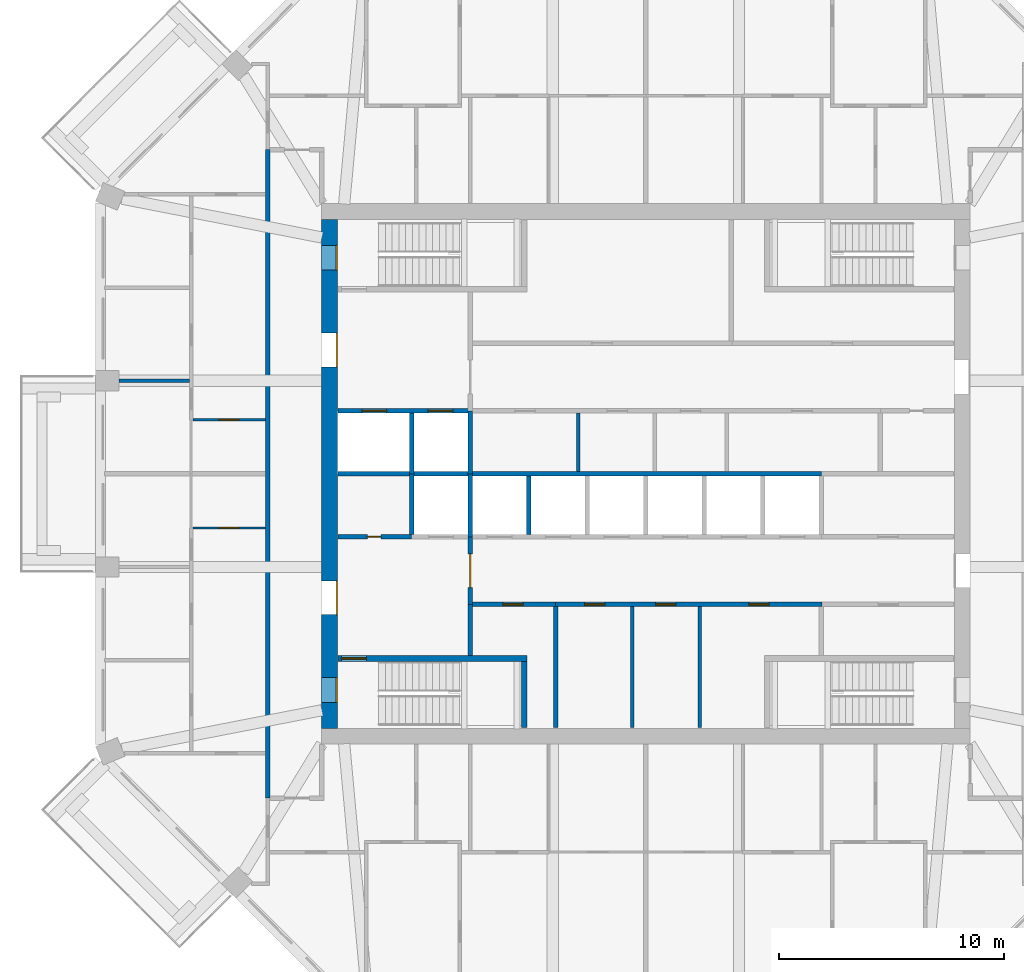
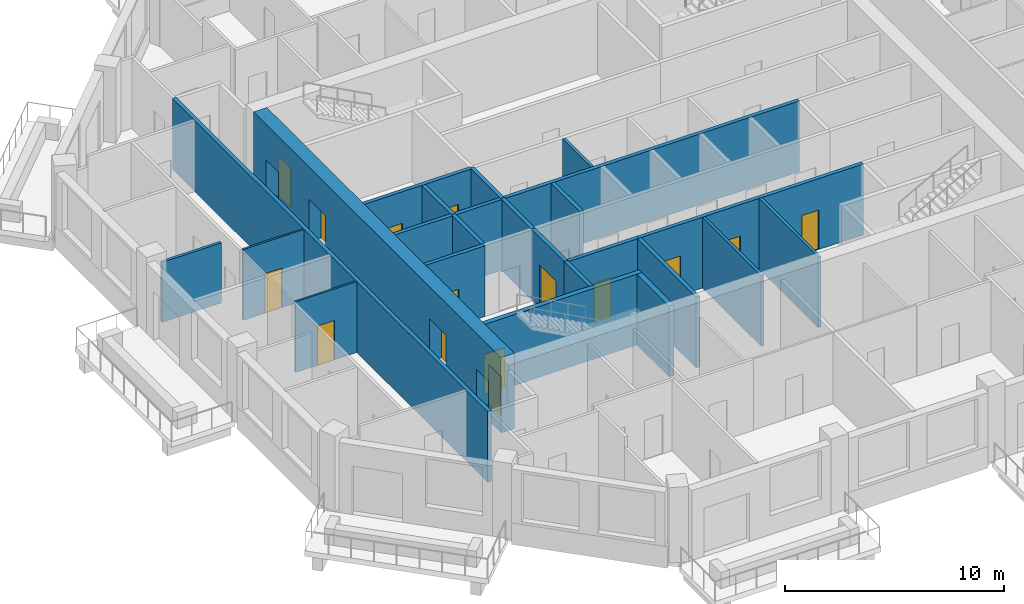
# One storey, part 4 of 12: 23 walls, 15 doors, 15 openings.
"""IFC4 building model written with IfcOpenShell, lengths in metres."""

from ifc_helpers import new_model, si_unit, direction, frame, frame_2d, origin, place, context, subcontext, project, spatial, rectangle, extrude, material, layer, layer_set, type_object, element, fill, save


model = new_model("IFC4")

# Units and contexts
model_context = context("Model", 3, precision=1e-05, world=origin(), true_north=direction((0.0, 1.0)))
body_context = subcontext(model_context, "Body", "Model", "MODEL_VIEW")
ifc_project = project(units=[si_unit("LENGTHUNIT", "METRE"), si_unit("AREAUNIT", "SQUARE_METRE"), si_unit("VOLUMEUNIT", "CUBIC_METRE"), si_unit("PLANEANGLEUNIT", "RADIAN"), si_unit("MASSUNIT", "GRAM", prefix="KILO")], contexts=[model_context])

# Site, building, storey
site_placement = place(None, origin())
site = spatial("IfcSite", under=ifc_project, at=site_placement, CompositionType="ELEMENT")
building_placement = place(site_placement, origin())
building = spatial("IfcBuilding", under=site, at=building_placement, Name="Msitu Wima Residences", CompositionType="ELEMENT")
storey_placement = place(building_placement, frame((0.0, 0.0, 183.300048828125)))
storey = spatial("IfcBuildingStorey", under=building, at=storey_placement, Name="L42", CompositionType="ELEMENT", Elevation=183.300048828125)

# Wall, openings, doors
ifc_material_1 = material(Name="Concrete C60/75", Category="concrete")
ifc_layer_1 = layer(ifc_material_1, 0.699951171875)
ifc_layer_set_1 = layer_set([ifc_layer_1], Name="Concrete C60/75")
wall_type_1 = type_object("IfcWallType", Name="Core wall CW700 C60/75", PredefinedType="SHEAR", material=ifc_layer_set_1)
wall_1_placement = place(storey_placement, frame((-14.050048828125, -11.300048828125, 0.0), z_axis=(0.0, 0.0, 1.0), x_axis=(0.0, 1.0, 0.0)))
wall_1 = element("IfcWall", 1, at=wall_1_placement, inside=storey, type_object=wall_type_1, Name="Core wall", PredefinedType="SHEAR", context=body_context, shape_type="SweptSolid", body=[
    extrude(rectangle(XDim=22.60009765625, YDim=0.699951171875, at=frame_2d((11.300048828125, 0.0))), origin(), (0.0, 0.0, 1.0), 4.199951171875),
])
opening_1_placement = place(wall_1_placement, frame((20.35009765625, 0.0, 0.0)))
opening_1 = element("IfcOpeningElement", 2, at=opening_1_placement, cuts=wall_1, Name="Opening D40-42.087", PredefinedType="OPENING", context=body_context, shape_type="SweptSolid", body=[
    extrude(rectangle(XDim=1.10009765625, YDim=2.199951171875, at=frame_2d((0.550048828125, 1.10009765625))), frame((0.0, 0.35986328125, 0.0), z_axis=(0.0, -1.0, 0.0), x_axis=(1.0, 0.0, 0.0)), (0.0, 0.0, 1.0), 0.719970703125),
])
opening_2_placement = place(wall_1_placement, frame((1.14990234375, 0.0, 0.0)))
opening_2 = element("IfcOpeningElement", 3, at=opening_2_placement, cuts=wall_1, Name="Opening D40-42.089", PredefinedType="OPENING", context=body_context, shape_type="SweptSolid", body=[
    extrude(rectangle(XDim=1.10009765625, YDim=2.199951171875, at=frame_2d((0.550048828125, 1.10009765625))), frame((0.0, 0.35986328125, 0.0), z_axis=(0.0, -1.0, 0.0), x_axis=(1.0, 0.0, 0.0)), (0.0, 0.0, 1.0), 0.719970703125),
])
opening_3_placement = place(wall_1_placement, frame((16.050048828125, 0.0, 0.0)))
opening_3 = element("IfcOpeningElement", 4, at=opening_3_placement, cuts=wall_1, Name="Opening D40-42.068", PredefinedType="OPENING", context=body_context, shape_type="SweptSolid", body=[
    extrude(rectangle(XDim=1.5, YDim=2.39990234375, at=frame_2d((0.75, 1.199951171875))), frame((0.0, 0.35986328125, 0.0), z_axis=(0.0, -1.0, 0.0), x_axis=(1.0, 0.0, 0.0)), (0.0, 0.0, 1.0), 0.719970703125),
])
opening_4_placement = place(wall_1_placement, frame((5.050048828125, 0.0, 0.0)))
opening_4 = element("IfcOpeningElement", 5, at=opening_4_placement, cuts=wall_1, Name="Opening D40-42.070", PredefinedType="OPENING", context=body_context, shape_type="SweptSolid", body=[
    extrude(rectangle(XDim=1.5, YDim=2.39990234375, at=frame_2d((0.75, 1.199951171875))), frame((0.0, 0.35986328125, 0.0), z_axis=(0.0, -1.0, 0.0), x_axis=(1.0, 0.0, 0.0)), (0.0, 0.0, 1.0), 0.719970703125),
])
ifc_material_2 = material(Name="Steel framed glazed door, fire resisting", Category="steel")
door_type_1 = type_object("IfcDoorType", Name="Lobby door D07 1500x2400", OperationType="DOUBLE_DOOR_SINGLE_SWING", PredefinedType="DOOR", material=ifc_material_2)
door_1_placement = place(opening_3_placement, origin())
door_1 = element("IfcDoor", 6, at=door_1_placement, inside=storey, type_object=door_type_1, Name="Lobby door", OperationType="DOUBLE_DOOR_SINGLE_SWING", OverallHeight=2.39990234375, OverallWidth=1.5, PredefinedType="DOOR", context=body_context, shape_type="SweptSolid", body=[
    extrude(rectangle(XDim=1.5, YDim=2.39990234375, at=frame_2d((0.75, 1.199951171875))), frame((0.0, -0.294921875, 0.0), z_axis=(0.0, -1.0, 0.0), x_axis=(1.0, 0.0, 0.0)), (0.0, 0.0, 1.0), 0.050048828125),
])
fill(opening_3, door_1)
door_2_placement = place(opening_4_placement, origin())
door_2 = element("IfcDoor", 7, at=door_2_placement, inside=storey, type_object=door_type_1, Name="Lobby door", OperationType="DOUBLE_DOOR_SINGLE_SWING", OverallHeight=2.39990234375, OverallWidth=1.5, PredefinedType="DOOR", context=body_context, shape_type="SweptSolid", body=[
    extrude(rectangle(XDim=1.5, YDim=2.39990234375, at=frame_2d((0.75, 1.199951171875))), frame((0.0, -0.294921875, 0.0), z_axis=(0.0, -1.0, 0.0), x_axis=(1.0, 0.0, 0.0)), (0.0, 0.0, 1.0), 0.050048828125),
])
fill(opening_4, door_2)
ifc_material_3 = material(Name="Steel door, fire resisting, panic bar", Category="steel")
door_type_2 = type_object("IfcDoorType", Name="Stair door D06 1100x2200", OperationType="SINGLE_SWING_LEFT", PredefinedType="DOOR", material=ifc_material_3)
door_3_placement = place(opening_1_placement, origin())
door_3 = element("IfcDoor", 8, at=door_3_placement, inside=storey, type_object=door_type_2, Name="Stair door", OperationType="SINGLE_SWING_RIGHT", OverallHeight=2.199951171875, OverallWidth=1.10009765625, PredefinedType="DOOR", context=body_context, shape_type="SweptSolid", body=[
    extrude(rectangle(XDim=1.10009765625, YDim=2.199951171875, at=frame_2d((0.550048828125, 1.10009765625))), frame((0.0, -0.294921875, 0.0), z_axis=(0.0, -1.0, 0.0), x_axis=(1.0, 0.0, 0.0)), (0.0, 0.0, 1.0), 0.050048828125),
])
fill(opening_1, door_3)
door_4_placement = place(opening_2_placement, origin())
door_4 = element("IfcDoor", 9, at=door_4_placement, inside=storey, type_object=door_type_2, Name="Stair door", OperationType="SINGLE_SWING_LEFT", OverallHeight=2.199951171875, OverallWidth=1.10009765625, PredefinedType="DOOR", context=body_context, shape_type="SweptSolid", body=[
    extrude(rectangle(XDim=1.10009765625, YDim=2.199951171875, at=frame_2d((0.550048828125, 1.10009765625))), frame((0.0, -0.294921875, 0.0), z_axis=(0.0, -1.0, 0.0), x_axis=(1.0, 0.0, 0.0)), (0.0, 0.0, 1.0), 0.050048828125),
])
fill(opening_2, door_4)

# Wall
ifc_material_4 = material(Name="Plaster")
ifc_layer_2 = layer(ifc_material_4, 0.011962890625, Name="Plaster")
ifc_material_5 = material(Name="Concrete blockwork", Category="masonry")
ifc_layer_3 = layer(ifc_material_5, 0.176025390625, Name="Concrete blockwork")
ifc_layer_4 = layer(ifc_material_4, 0.011962890625, Name="Plaster")
ifc_layer_set_2 = layer_set([ifc_layer_2, ifc_layer_3, ifc_layer_4], Name="Concrete blockwork")
wall_type_2 = type_object("IfcWallType", Name="Corridor wall FW200", PredefinedType="PARTITIONING", material=ifc_layer_set_2)
wall_2_placement = place(storey_placement, frame((-16.800048828125, -14.39990234375, 0.0), z_axis=(0.0, 0.0, 1.0), x_axis=(0.0, 1.0, 0.0)))
element("IfcWall", 10, at=wall_2_placement, inside=storey, type_object=wall_type_2, Name="Corridor wall", PredefinedType="PARTITIONING", context=body_context, shape_type="SweptSolid", body=[
    extrude(rectangle(XDim=28.7998046875, YDim=0.199951171875, at=frame_2d((14.39990234375, 0.0))), origin(), (0.0, 0.0, 1.0), 3.949951171875),
])

# Wall, opening, door
wall_3_placement = place(storey_placement, frame((-7.800048828125, -5.800048828125, 0.0), z_axis=(0.0, 0.0, 1.0), x_axis=(0.0, 1.0, 0.0)))
wall_3 = element("IfcWall", 11, at=wall_3_placement, inside=storey, type_object=wall_type_2, Name="Corridor wall", PredefinedType="PARTITIONING", context=body_context, shape_type="SweptSolid", body=[
    extrude(rectangle(XDim=3.0, YDim=0.199951171875, at=frame_2d((1.5, 0.0))), origin(), (0.0, 0.0, 1.0), 3.949951171875),
])
opening_5_placement = place(wall_3_placement, frame((0.75, 0.0, 0.0)))
opening_5 = element("IfcOpeningElement", 12, at=opening_5_placement, cuts=wall_3, Name="Opening D40-42.071", PredefinedType="OPENING", context=body_context, shape_type="SweptSolid", body=[
    extrude(rectangle(XDim=1.5, YDim=2.39990234375, at=frame_2d((0.75, 1.199951171875))), frame((0.0, 0.10986328125, 0.0), z_axis=(0.0, -1.0, 0.0), x_axis=(1.0, 0.0, 0.0)), (0.0, 0.0, 1.0), 0.219970703125),
])
door_5_placement = place(opening_5_placement, origin())
door_5 = element("IfcDoor", 13, at=door_5_placement, inside=storey, type_object=door_type_1, Name="Lobby door", OperationType="DOUBLE_DOOR_SINGLE_SWING", OverallHeight=2.39990234375, OverallWidth=1.5, PredefinedType="DOOR", context=body_context, shape_type="SweptSolid", body=[
    extrude(rectangle(XDim=1.5, YDim=2.39990234375, at=frame_2d((0.75, 1.199951171875))), frame((0.0, 0.02490234375, 0.0), z_axis=(0.0, -1.0, 0.0), x_axis=(1.0, 0.0, 0.0)), (0.0, 0.0, 1.0), 0.050048828125),
])
fill(opening_5, door_5)

# Wall, openings, doors
wall_4_placement = place(storey_placement, frame((-4.02001953125, -5.800048828125, 0.0), z_axis=(0.0, 0.0, 1.0), x_axis=(1.0, 0.0, 0.0)))
wall_4 = element("IfcWall", 14, at=wall_4_placement, inside=storey, type_object=wall_type_2, Name="Corridor wall", PredefinedType="PARTITIONING", context=body_context, shape_type="SweptSolid", body=[
    extrude(rectangle(XDim=11.840087890625, YDim=0.199951171875, at=frame_2d((5.919921875, 0.0))), origin(), (0.0, 0.0, 1.0), 3.949951171875),
])
opening_6_placement = place(wall_4_placement, frame((1.300048828125, 0.0, 0.0)))
opening_6 = element("IfcOpeningElement", 15, at=opening_6_placement, cuts=wall_4, Name="Opening D40-42.075", PredefinedType="OPENING", context=body_context, shape_type="SweptSolid", body=[
    extrude(rectangle(XDim=0.89990234375, YDim=2.199951171875, at=frame_2d((0.449951171875, 1.10009765625))), frame((0.0, 0.10986328125, 0.0), z_axis=(0.0, -1.0, 0.0), x_axis=(1.0, 0.0, 0.0)), (0.0, 0.0, 1.0), 0.219970703125),
])
opening_7_placement = place(wall_4_placement, frame((4.449951171875, 0.0, 0.0)))
opening_7 = element("IfcOpeningElement", 16, at=opening_7_placement, cuts=wall_4, Name="Opening D40-42.076", PredefinedType="OPENING", context=body_context, shape_type="SweptSolid", body=[
    extrude(rectangle(XDim=0.89990234375, YDim=2.199951171875, at=frame_2d((0.449951171875, 1.10009765625))), frame((0.0, 0.10986328125, 0.0), z_axis=(0.0, -1.0, 0.0), x_axis=(1.0, 0.0, 0.0)), (0.0, 0.0, 1.0), 0.219970703125),
])
opening_8_placement = place(wall_4_placement, frame((8.60009765625, 0.0, 0.0)))
opening_8 = element("IfcOpeningElement", 17, at=opening_8_placement, cuts=wall_4, Name="Opening D40-42.077", PredefinedType="OPENING", context=body_context, shape_type="SweptSolid", body=[
    extrude(rectangle(XDim=0.89990234375, YDim=2.199951171875, at=frame_2d((0.449951171875, 1.10009765625))), frame((0.0, 0.10986328125, 0.0), z_axis=(0.0, -1.0, 0.0), x_axis=(1.0, 0.0, 0.0)), (0.0, 0.0, 1.0), 0.219970703125),
])
ifc_material_6 = material(Name="Timber flush door", Category="wood")
door_type_3 = type_object("IfcDoorType", Name="Service door D05 900x2200", OperationType="SINGLE_SWING_LEFT", PredefinedType="DOOR", material=ifc_material_6)
door_6_placement = place(opening_6_placement, origin())
door_6 = element("IfcDoor", 18, at=door_6_placement, inside=storey, type_object=door_type_3, Name="Service door", OperationType="SINGLE_SWING_LEFT", OverallHeight=2.199951171875, OverallWidth=0.89990234375, PredefinedType="DOOR", context=body_context, shape_type="SweptSolid", body=[
    extrude(rectangle(XDim=0.89990234375, YDim=2.199951171875, at=frame_2d((0.449951171875, 1.10009765625))), frame((0.0, 0.02490234375, 0.0), z_axis=(0.0, -1.0, 0.0), x_axis=(1.0, 0.0, 0.0)), (0.0, 0.0, 1.0), 0.050048828125),
])
fill(opening_6, door_6)
door_7_placement = place(opening_7_placement, origin())
door_7 = element("IfcDoor", 19, at=door_7_placement, inside=storey, type_object=door_type_3, Name="Service door", OperationType="SINGLE_SWING_RIGHT", OverallHeight=2.199951171875, OverallWidth=0.89990234375, PredefinedType="DOOR", context=body_context, shape_type="SweptSolid", body=[
    extrude(rectangle(XDim=0.89990234375, YDim=2.199951171875, at=frame_2d((0.449951171875, 1.10009765625))), frame((0.0, 0.02490234375, 0.0), z_axis=(0.0, -1.0, 0.0), x_axis=(1.0, 0.0, 0.0)), (0.0, 0.0, 1.0), 0.050048828125),
])
fill(opening_7, door_7)
door_8_placement = place(opening_8_placement, origin())
door_8 = element("IfcDoor", 20, at=door_8_placement, inside=storey, type_object=door_type_3, Name="Service door", OperationType="SINGLE_SWING_RIGHT", OverallHeight=2.199951171875, OverallWidth=0.89990234375, PredefinedType="DOOR", context=body_context, shape_type="SweptSolid", body=[
    extrude(rectangle(XDim=0.89990234375, YDim=2.199951171875, at=frame_2d((0.449951171875, 1.10009765625))), frame((0.0, 0.02490234375, 0.0), z_axis=(0.0, -1.0, 0.0), x_axis=(1.0, 0.0, 0.0)), (0.0, 0.0, 1.0), 0.050048828125),
])
fill(opening_8, door_8)

# Walls
ifc_layer_5 = layer(ifc_material_4, 0.011962890625, Name="Plaster")
ifc_layer_6 = layer(ifc_material_5, 0.1259765625, Name="Concrete blockwork")
ifc_layer_7 = layer(ifc_material_4, 0.011962890625, Name="Plaster")
ifc_layer_set_3 = layer_set([ifc_layer_5, ifc_layer_6, ifc_layer_7], Name="Concrete blockwork")
wall_type_3 = type_object("IfcWallType", Name="Partition PW150", PredefinedType="PARTITIONING", material=ifc_layer_set_3)
wall_5_placement = place(storey_placement, frame((-23.39990234375, 4.13720703125, 0.0), z_axis=(0.0, 0.0, 1.0), x_axis=(1.0, 0.0, 0.0)))
element("IfcWall", 21, at=wall_5_placement, inside=storey, type_object=wall_type_3, Name="Partition", PredefinedType="PARTITIONING", context=body_context, shape_type="SweptSolid", body=[
    extrude(rectangle(XDim=3.125, YDim=0.14990234375, at=frame_2d((1.5625, 0.0))), origin(), (0.0, 0.0, 1.0), 3.349853515625),
])
wall_6_placement = place(storey_placement, frame((-3.0, 0.10009765625, 0.0), z_axis=(0.0, 0.0, 1.0), x_axis=(0.0, 1.0, 0.0)))
element("IfcWall", 22, at=wall_6_placement, inside=storey, type_object=wall_type_3, Name="Partition", PredefinedType="PARTITIONING", context=body_context, shape_type="SweptSolid", body=[
    extrude(rectangle(XDim=2.599853515625, YDim=0.14990234375, at=frame_2d((1.2998046875, 0.0))), origin(), (0.0, 0.0, 1.0), 3.949951171875),
])
for number, where, z_axis, x_axis, name in (
    (23, (-0.60009765625, -11.27001953125, 0.0), (0.0, 0.0, 1.0), (0.0, 1.0, 0.0), "Partition"),
    (24, (2.39990234375, -11.27001953125, 0.0), (0.0, 0.0, 1.0), (0.0, 1.0, 0.0), "Partition"),
):
    element("IfcWall", number, at=place(storey_placement, frame(where, z_axis=z_axis, x_axis=x_axis)), inside=storey, type_object=wall_type_3, Name=name, PredefinedType="PARTITIONING", context=body_context, shape_type="SweptSolid", body=[
        extrude(rectangle(XDim=5.3701171875, YDim=0.14990234375, at=frame_2d((2.68505859375, 0.0))), origin(), (0.0, 0.0, 1.0), 3.949951171875),
    ])

# Wall, opening, door
ifc_layer_8 = layer(ifc_material_4, 0.011962890625, Name="Plaster")
ifc_material_7 = material(Name="Reinforced concrete blockwork", Category="masonry")
ifc_layer_9 = layer(ifc_material_7, 0.176025390625, Name="Reinforced concrete blockwork")
ifc_layer_10 = layer(ifc_material_4, 0.011962890625, Name="Plaster")
ifc_layer_set_4 = layer_set([ifc_layer_8, ifc_layer_9, ifc_layer_10], Name="Reinforced concrete blockwork")
wall_type_4 = type_object("IfcWallType", Name="Plant and riser wall PL200", PredefinedType="PARTITIONING", material=ifc_layer_set_4)
wall_7_placement = place(storey_placement, frame((-13.669921875, -2.800048828125, 0.0), z_axis=(0.0, 0.0, 1.0), x_axis=(1.0, 0.0, 0.0)))
wall_7 = element("IfcWall", 25, at=wall_7_placement, inside=storey, type_object=wall_type_4, Name="Plant and riser wall", PredefinedType="PARTITIONING", context=body_context, shape_type="SweptSolid", body=[
    extrude(rectangle(XDim=3.27001953125, YDim=0.199951171875, at=frame_2d((1.635009765625, 0.0))), origin(), (0.0, 0.0, 1.0), 3.949951171875),
])
opening_9_placement = place(wall_7_placement, frame((1.300048828125, 0.0, 0.0)))
opening_9 = element("IfcOpeningElement", 26, at=opening_9_placement, cuts=wall_7, Name="Opening D40-42.086", PredefinedType="OPENING", context=body_context, shape_type="SweptSolid", body=[
    extrude(rectangle(XDim=0.60009765625, YDim=2.0, at=frame_2d((0.300048828125, 1.0))), frame((0.0, 0.10986328125, 0.0), z_axis=(0.0, -1.0, 0.0), x_axis=(1.0, 0.0, 0.0)), (0.0, 0.0, 1.0), 0.219970703125),
])
ifc_material_8 = material(Name="Steel access door, fire resisting", Category="steel")
door_type_4 = type_object("IfcDoorType", Name="Riser access door D08 600x2000", OperationType="SINGLE_SWING_LEFT", PredefinedType="DOOR", material=ifc_material_8)
door_9_placement = place(opening_9_placement, origin())
door_9 = element("IfcDoor", 27, at=door_9_placement, inside=storey, type_object=door_type_4, Name="Riser access door", OperationType="SINGLE_SWING_RIGHT", OverallHeight=2.0, OverallWidth=0.60009765625, PredefinedType="DOOR", context=body_context, shape_type="SweptSolid", body=[
    extrude(rectangle(XDim=0.60009765625, YDim=2.0, at=frame_2d((0.300048828125, 1.0))), frame((0.0, 0.02490234375, 0.0), z_axis=(0.0, -1.0, 0.0), x_axis=(1.0, 0.0, 0.0)), (0.0, 0.0, 1.0), 0.050048828125),
])
fill(opening_9, door_9)

# Wall
wall_8_placement = place(storey_placement, frame((-7.800048828125, -8.074951171875, 0.0), z_axis=(0.0, 0.0, 1.0), x_axis=(0.0, 1.0, 0.0)))
element("IfcWall", 28, at=wall_8_placement, inside=storey, type_object=wall_type_4, Name="Plant and riser wall", PredefinedType="PARTITIONING", context=body_context, shape_type="SweptSolid", body=[
    extrude(rectangle(XDim=2.27490234375, YDim=0.199951171875, at=frame_2d((1.137451171875, 0.0))), origin(), (0.0, 0.0, 1.0), 3.949951171875),
])

# Wall, opening, door
wall_9_placement = place(storey_placement, frame((-7.699951171875, -5.800048828125, 0.0), z_axis=(0.0, 0.0, 1.0), x_axis=(1.0, 0.0, 0.0)))
wall_9 = element("IfcWall", 29, at=wall_9_placement, inside=storey, type_object=wall_type_4, Name="Plant and riser wall", PredefinedType="PARTITIONING", context=body_context, shape_type="SweptSolid", body=[
    extrude(rectangle(XDim=3.679931640625, YDim=0.199951171875, at=frame_2d((1.83984375, 0.0))), origin(), (0.0, 0.0, 1.0), 3.949951171875),
])
opening_10_placement = place(wall_9_placement, frame((1.35009765625, 0.0, 0.0)))
opening_10 = element("IfcOpeningElement", 30, at=opening_10_placement, cuts=wall_9, Name="Opening D40-42.074", PredefinedType="OPENING", context=body_context, shape_type="SweptSolid", body=[
    extrude(rectangle(XDim=0.89990234375, YDim=2.199951171875, at=frame_2d((0.449951171875, 1.10009765625))), frame((0.0, 0.10986328125, 0.0), z_axis=(0.0, -1.0, 0.0), x_axis=(1.0, 0.0, 0.0)), (0.0, 0.0, 1.0), 0.219970703125),
])
door_10_placement = place(opening_10_placement, origin())
door_10 = element("IfcDoor", 31, at=door_10_placement, inside=storey, type_object=door_type_3, Name="Service door", OperationType="SINGLE_SWING_RIGHT", OverallHeight=2.199951171875, OverallWidth=0.89990234375, PredefinedType="DOOR", context=body_context, shape_type="SweptSolid", body=[
    extrude(rectangle(XDim=0.89990234375, YDim=2.199951171875, at=frame_2d((0.449951171875, 1.10009765625))), frame((0.0, 0.02490234375, 0.0), z_axis=(0.0, -1.0, 0.0), x_axis=(1.0, 0.0, 0.0)), (0.0, 0.0, 1.0), 0.050048828125),
])
fill(opening_10, door_10)

# Walls
wall_10_placement = place(storey_placement, frame((-4.0, -11.27001953125, 0.0), z_axis=(0.0, 0.0, 1.0), x_axis=(0.0, 1.0, 0.0)))
element("IfcWall", 32, at=wall_10_placement, inside=storey, type_object=wall_type_4, Name="Plant and riser wall", PredefinedType="PARTITIONING", context=body_context, shape_type="SweptSolid", body=[
    extrude(rectangle(XDim=5.3701171875, YDim=0.199951171875, at=frame_2d((2.68505859375, 0.0))), origin(), (0.0, 0.0, 1.0), 3.949951171875),
])
ifc_material_9 = material(Name="Fire-rated board")
ifc_layer_11 = layer(ifc_material_9, 0.02490234375, Name="Fire-rated board")
ifc_material_10 = material(Name="Light-gauge stud framing with mineral wool")
ifc_layer_12 = layer(ifc_material_10, 0.14990234375, Name="Light-gauge stud framing with mineral wool")
ifc_layer_13 = layer(ifc_material_9, 0.02490234375, Name="Fire-rated board")
ifc_layer_set_5 = layer_set([ifc_layer_11, ifc_layer_12, ifc_layer_13], Name="Light-gauge stud framing with mineral wool")
wall_type_5 = type_object("IfcWallType", Name="Shaft wall SH200", PredefinedType="PARTITIONING", material=ifc_layer_set_5)
wall_11_placement = place(storey_placement, frame((-13.669921875, 0.0, 0.0), z_axis=(0.0, 0.0, 1.0), x_axis=(1.0, 0.0, 0.0)))
element("IfcWall", 33, at=wall_11_placement, inside=storey, type_object=wall_type_5, Name="Shaft wall", PredefinedType="PARTITIONING", context=body_context, shape_type="SweptSolid", body=[
    extrude(rectangle(XDim=21.469970703125, YDim=0.199951171875, at=frame_2d((10.73486328125, 0.0))), origin(), (0.0, 0.0, 1.0), 3.949951171875),
])

# Wall, openings, doors
wall_12_placement = place(storey_placement, frame((-13.669921875, 2.800048828125, 0.0), z_axis=(0.0, 0.0, 1.0), x_axis=(1.0, 0.0, 0.0)))
wall_12 = element("IfcWall", 34, at=wall_12_placement, inside=storey, type_object=wall_type_5, Name="Shaft wall", PredefinedType="PARTITIONING", context=body_context, shape_type="SweptSolid", body=[
    extrude(rectangle(XDim=5.849853515625, YDim=0.199951171875, at=frame_2d((2.9248046875, 0.0))), origin(), (0.0, 0.0, 1.0), 3.949951171875),
])
opening_11_placement = place(wall_12_placement, frame((1.050048828125, 0.0, 0.0)))
opening_11 = element("IfcOpeningElement", 35, at=opening_11_placement, cuts=wall_12, Name="Opening LD", PredefinedType="OPENING", context=body_context, shape_type="SweptSolid", body=[
    extrude(rectangle(XDim=1.10009765625, YDim=2.199951171875, at=frame_2d((0.550048828125, 1.10009765625))), frame((0.0, 0.10986328125, 0.0), z_axis=(0.0, -1.0, 0.0), x_axis=(1.0, 0.0, 0.0)), (0.0, 0.0, 1.0), 0.219970703125),
])
opening_12_placement = place(wall_12_placement, frame((4.0, 0.0, 0.0)))
opening_12 = element("IfcOpeningElement", 36, at=opening_12_placement, cuts=wall_12, Name="Opening LD", PredefinedType="OPENING", context=body_context, shape_type="SweptSolid", body=[
    extrude(rectangle(XDim=1.10009765625, YDim=2.199951171875, at=frame_2d((0.550048828125, 1.10009765625))), frame((0.0, 0.10986328125, 0.0), z_axis=(0.0, -1.0, 0.0), x_axis=(1.0, 0.0, 0.0)), (0.0, 0.0, 1.0), 0.219970703125),
])
ifc_material_11 = material(Name="Stainless steel centre-opening landing door, rated", Category="steel")
door_type_5 = type_object("IfcDoorType", Name="Lift landing door LD 1100x2200", OperationType="DOUBLE_DOOR_SLIDING", PredefinedType="DOOR", material=ifc_material_11)
door_11_placement = place(opening_11_placement, origin())
door_11 = element("IfcDoor", 37, at=door_11_placement, inside=storey, type_object=door_type_5, Name="Lift landing door LD1", OperationType="DOUBLE_DOOR_SLIDING", OverallHeight=2.199951171875, OverallWidth=1.10009765625, PredefinedType="DOOR", context=body_context, shape_type="SweptSolid", body=[
    extrude(rectangle(XDim=1.10009765625, YDim=2.199951171875, at=frame_2d((0.550048828125, 1.10009765625))), frame((0.0, 0.02490234375, 0.0), z_axis=(0.0, -1.0, 0.0), x_axis=(1.0, 0.0, 0.0)), (0.0, 0.0, 1.0), 0.050048828125),
])
fill(opening_11, door_11)
door_12_placement = place(opening_12_placement, origin())
door_12 = element("IfcDoor", 38, at=door_12_placement, inside=storey, type_object=door_type_5, Name="Lift landing door LD2", OperationType="DOUBLE_DOOR_SLIDING", OverallHeight=2.199951171875, OverallWidth=1.10009765625, PredefinedType="DOOR", context=body_context, shape_type="SweptSolid", body=[
    extrude(rectangle(XDim=1.10009765625, YDim=2.199951171875, at=frame_2d((0.550048828125, 1.10009765625))), frame((0.0, 0.02490234375, 0.0), z_axis=(0.0, -1.0, 0.0), x_axis=(1.0, 0.0, 0.0)), (0.0, 0.0, 1.0), 0.050048828125),
])
fill(opening_12, door_12)

# Walls
for number, where, z_axis, x_axis, name in (
    (39, (-10.39990234375, -2.699951171875, 0.0), (0.0, 0.0, 1.0), (0.0, 1.0, 0.0), "Shaft wall"),
    (40, (-10.39990234375, 0.0, 0.0), (0.0, 0.0, 1.0), (0.0, 1.0, 0.0), "Shaft wall"),
):
    element("IfcWall", number, at=place(storey_placement, frame(where, z_axis=z_axis, x_axis=x_axis)), inside=storey, type_object=wall_type_5, Name=name, PredefinedType="PARTITIONING", context=body_context, shape_type="SweptSolid", body=[
        extrude(rectangle(XDim=2.699951171875, YDim=0.199951171875, at=frame_2d((1.35009765625, 0.0))), origin(), (0.0, 0.0, 1.0), 3.949951171875),
    ])
for number, where, z_axis, x_axis, name in (
    (41, (-7.800048828125, -2.800048828125, 0.0), (0.0, 0.0, 1.0), (0.0, 1.0, 0.0), "Shaft wall"),
    (42, (-7.800048828125, 0.0, 0.0), (0.0, 0.0, 1.0), (0.0, 1.0, 0.0), "Shaft wall"),
):
    element("IfcWall", number, at=place(storey_placement, frame(where, z_axis=z_axis, x_axis=x_axis)), inside=storey, type_object=wall_type_5, Name=name, PredefinedType="PARTITIONING", context=body_context, shape_type="SweptSolid", body=[
        extrude(rectangle(XDim=2.800048828125, YDim=0.199951171875, at=frame_2d((1.39990234375, 0.0))), origin(), (0.0, 0.0, 1.0), 3.949951171875),
    ])
wall_13_placement = place(storey_placement, frame((-5.199951171875, -2.699951171875, 0.0), z_axis=(0.0, 0.0, 1.0), x_axis=(0.0, 1.0, 0.0)))
element("IfcWall", 43, at=wall_13_placement, inside=storey, type_object=wall_type_5, Name="Shaft wall", PredefinedType="PARTITIONING", context=body_context, shape_type="SweptSolid", body=[
    extrude(rectangle(XDim=2.599853515625, YDim=0.199951171875, at=frame_2d((1.2998046875, 0.0))), origin(), (0.0, 0.0, 1.0), 3.949951171875),
])

# Wall, opening, door
ifc_material_12 = material(Name="Concrete C50/60", Category="concrete")
ifc_layer_14 = layer(ifc_material_12, 0.25)
ifc_layer_set_6 = layer_set([ifc_layer_14], Name="Concrete C50/60")
wall_type_6 = type_object("IfcWallType", Name="Stair enclosure wall SW250", PredefinedType="SHEAR", material=ifc_layer_set_6)
wall_14_placement = place(storey_placement, frame((-13.669921875, -8.199951171875, 0.0), z_axis=(0.0, 0.0, 1.0), x_axis=(1.0, 0.0, 0.0)))
wall_14 = element("IfcWall", 44, at=wall_14_placement, inside=storey, type_object=wall_type_6, Name="Stair enclosure wall", PredefinedType="SHEAR", context=body_context, shape_type="SweptSolid", body=[
    extrude(rectangle(XDim=8.39501953125, YDim=0.25, at=frame_2d((4.197509765625, 0.0))), origin(), (0.0, 0.0, 1.0), 3.949951171875),
])
opening_13_placement = place(wall_14_placement, frame((0.14990234375, 0.0, 0.0)))
opening_13 = element("IfcOpeningElement", 45, at=opening_13_placement, cuts=wall_14, Name="Opening D40-42.090", PredefinedType="OPENING", context=body_context, shape_type="SweptSolid", body=[
    extrude(rectangle(XDim=1.10009765625, YDim=2.199951171875, at=frame_2d((0.550048828125, 1.10009765625))), frame((0.0, 0.135009765625, 0.0), z_axis=(0.0, -1.0, 0.0), x_axis=(1.0, 0.0, 0.0)), (0.0, 0.0, 1.0), 0.27001953125),
])
door_13_placement = place(opening_13_placement, origin())
door_13 = element("IfcDoor", 46, at=door_13_placement, inside=storey, type_object=door_type_2, Name="Stair door", OperationType="SINGLE_SWING_RIGHT", OverallHeight=2.199951171875, OverallWidth=1.10009765625, PredefinedType="DOOR", context=body_context, shape_type="SweptSolid", body=[
    extrude(rectangle(XDim=1.10009765625, YDim=2.199951171875, at=frame_2d((0.550048828125, 1.10009765625))), frame((0.0, 0.02490234375, 0.0), z_axis=(0.0, -1.0, 0.0), x_axis=(1.0, 0.0, 0.0)), (0.0, 0.0, 1.0), 0.050048828125),
])
fill(opening_13, door_13)

# Wall
wall_15_placement = place(storey_placement, frame((-5.39990234375, -11.27001953125, 0.0), z_axis=(0.0, 0.0, 1.0), x_axis=(0.0, 1.0, 0.0)))
element("IfcWall", 47, at=wall_15_placement, inside=storey, type_object=wall_type_6, Name="Stair enclosure wall", PredefinedType="SHEAR", context=body_context, shape_type="SweptSolid", body=[
    extrude(rectangle(XDim=2.945068359375, YDim=0.25, at=frame_2d((1.47265625, 0.0))), origin(), (0.0, 0.0, 1.0), 3.949951171875),
])

# Wall, opening, door
ifc_material_13 = material(Name="Ceramic tiles")
ifc_layer_15 = layer(ifc_material_13, 0.008056640625, Name="Ceramic tiles")
ifc_material_14 = material(Name="Moisture-resistant board")
ifc_layer_16 = layer(ifc_material_14, 0.012451171875, Name="Moisture-resistant board")
ifc_layer_17 = layer(ifc_material_10, 0.06689453125, Name="Light-gauge stud framing with mineral wool")
ifc_layer_18 = layer(ifc_material_14, 0.012451171875, Name="Moisture-resistant board")
ifc_layer_set_7 = layer_set([ifc_layer_15, ifc_layer_16, ifc_layer_17, ifc_layer_18], Name="Light-gauge stud framing with mineral wool")
wall_type_7 = type_object("IfcWallType", Name="Wet wall PW100", PredefinedType="PARTITIONING", material=ifc_layer_set_7)
wall_16_placement = place(storey_placement, frame((-20.125, -2.39990234375, 0.0), z_axis=(0.0, 0.0, 1.0), x_axis=(1.0, 0.0, 0.0)))
wall_16 = element("IfcWall", 48, at=wall_16_placement, inside=storey, type_object=wall_type_7, Name="Wet wall", PredefinedType="PARTITIONING", context=body_context, shape_type="SweptSolid", body=[
    extrude(rectangle(XDim=3.22509765625, YDim=0.10009765625, at=frame_2d((1.612548828125, 0.0))), origin(), (0.0, 0.0, 1.0), 3.949951171875),
])
opening_14_placement = place(wall_16_placement, frame((1.14990234375, 0.0, 0.0)))
opening_14 = element("IfcOpeningElement", 49, at=opening_14_placement, cuts=wall_16, Name="Opening D40-42.043", PredefinedType="OPENING", context=body_context, shape_type="SweptSolid", body=[
    extrude(rectangle(XDim=0.89990234375, YDim=2.199951171875, at=frame_2d((0.449951171875, 1.10009765625))), frame((0.0, 0.06005859375, 0.0), z_axis=(0.0, -1.0, 0.0), x_axis=(1.0, 0.0, 0.0)), (0.0, 0.0, 1.0), 0.1201171875),
])
ifc_material_15 = material(Name="Timber flush door, moisture resistant", Category="wood")
door_type_6 = type_object("IfcDoorType", Name="Bathroom door D03 900x2200", OperationType="SINGLE_SWING_LEFT", PredefinedType="DOOR", material=ifc_material_15)
door_14_placement = place(opening_14_placement, origin())
door_14 = element("IfcDoor", 50, at=door_14_placement, inside=storey, type_object=door_type_6, Name="Bathroom door", OperationType="SINGLE_SWING_LEFT", OverallHeight=2.199951171875, OverallWidth=0.89990234375, PredefinedType="DOOR", context=body_context, shape_type="SweptSolid", body=[
    extrude(rectangle(XDim=0.89990234375, YDim=2.199951171875, at=frame_2d((0.449951171875, 1.10009765625))), frame((0.0, 0.02490234375, 0.0), z_axis=(0.0, -1.0, 0.0), x_axis=(1.0, 0.0, 0.0)), (0.0, 0.0, 1.0), 0.050048828125),
])
fill(opening_14, door_14)

wall_17_placement = place(storey_placement, frame((-20.125, 2.39990234375, 0.0), z_axis=(0.0, 0.0, 1.0), x_axis=(1.0, 0.0, 0.0)))
wall_17 = element("IfcWall", 51, at=wall_17_placement, inside=storey, type_object=wall_type_7, Name="Wet wall", PredefinedType="PARTITIONING", context=body_context, shape_type="SweptSolid", body=[
    extrude(rectangle(XDim=3.22509765625, YDim=0.10009765625, at=frame_2d((1.612548828125, 0.0))), origin(), (0.0, 0.0, 1.0), 3.949951171875),
])
opening_15_placement = place(wall_17_placement, frame((1.14990234375, 0.0, 0.0)))
opening_15 = element("IfcOpeningElement", 52, at=opening_15_placement, cuts=wall_17, Name="Opening D40-42.029", PredefinedType="OPENING", context=body_context, shape_type="SweptSolid", body=[
    extrude(rectangle(XDim=0.89990234375, YDim=2.199951171875, at=frame_2d((0.449951171875, 1.10009765625))), frame((0.0, 0.06005859375, 0.0), z_axis=(0.0, -1.0, 0.0), x_axis=(1.0, 0.0, 0.0)), (0.0, 0.0, 1.0), 0.1201171875),
])
door_15_placement = place(opening_15_placement, origin())
door_15 = element("IfcDoor", 53, at=door_15_placement, inside=storey, type_object=door_type_6, Name="Bathroom door", OperationType="SINGLE_SWING_RIGHT", OverallHeight=2.199951171875, OverallWidth=0.89990234375, PredefinedType="DOOR", context=body_context, shape_type="SweptSolid", body=[
    extrude(rectangle(XDim=0.89990234375, YDim=2.199951171875, at=frame_2d((0.449951171875, 1.10009765625))), frame((0.0, 0.02490234375, 0.0), z_axis=(0.0, -1.0, 0.0), x_axis=(1.0, 0.0, 0.0)), (0.0, 0.0, 1.0), 0.050048828125),
])
fill(opening_15, door_15)

save(model, "model.ifc")
